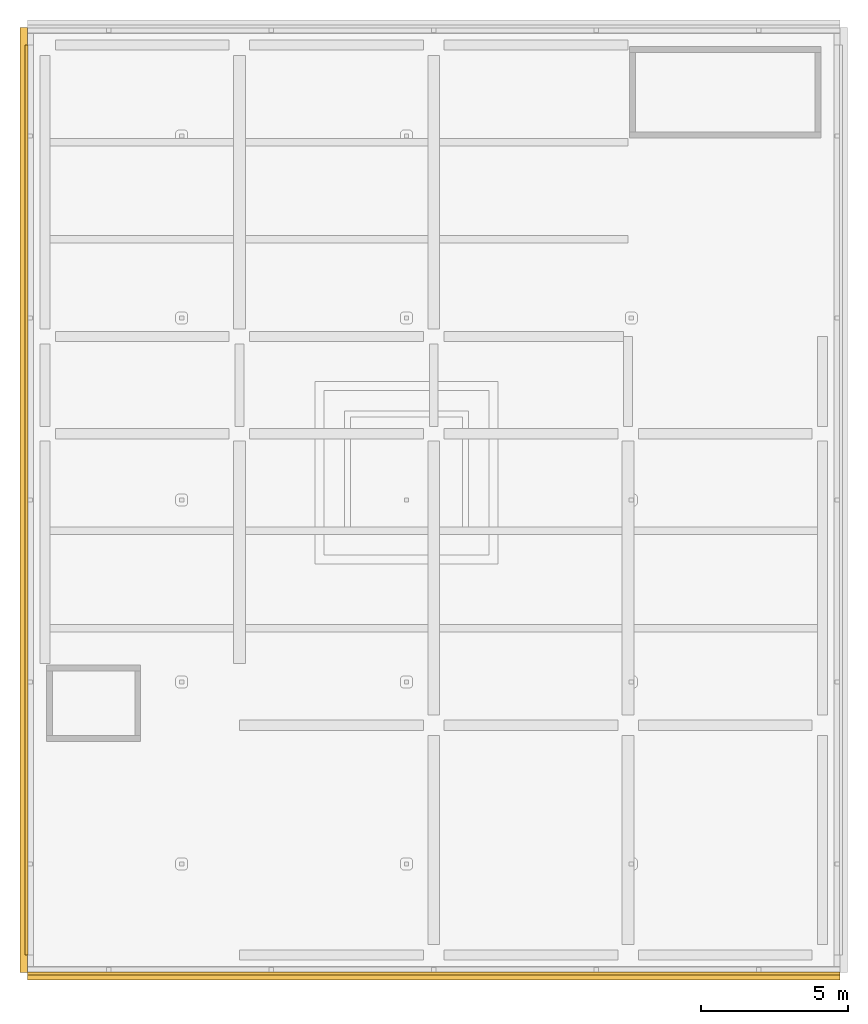
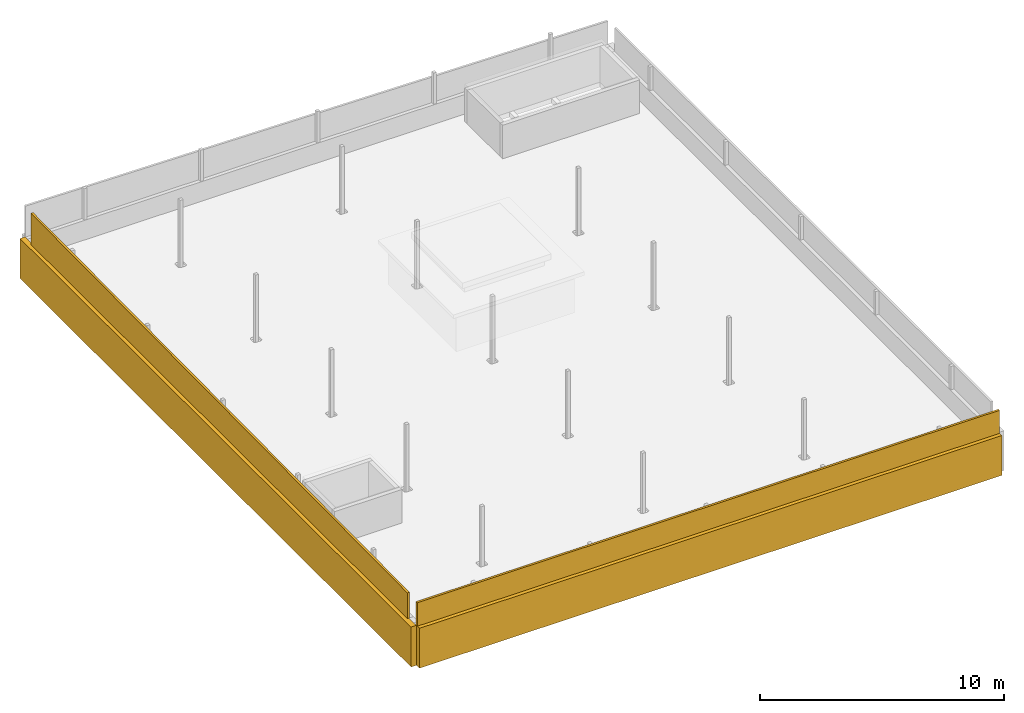
# One storey, part 3 of 4: 4 coverings.
"""IFC4 building model written with IfcOpenShell, lengths in metres."""

from ifc_helpers import new_model, si_unit, direction, frame, frame_2d, origin, place, context, subcontext, project, spatial, polyline, rectangle, outline, extrude, material, layer, layer_set, type_object, element, save


model = new_model("IFC4")

# Units and contexts
model_context = context("Model", 3, precision=1e-05, world=origin(), true_north=direction((0.0, 1.0)))
body_context = subcontext(model_context, "Body", "Model", "MODEL_VIEW")
ifc_project = project(units=[si_unit("LENGTHUNIT", "METRE"), si_unit("AREAUNIT", "SQUARE_METRE"), si_unit("VOLUMEUNIT", "CUBIC_METRE"), si_unit("PLANEANGLEUNIT", "RADIAN"), si_unit("MASSUNIT", "GRAM", prefix="KILO")], contexts=[model_context])

# Site, building, storey
site_placement = place(None, origin())
site = spatial("IfcSite", under=ifc_project, at=site_placement, CompositionType="ELEMENT")
building_placement = place(site_placement, origin())
building = spatial("IfcBuilding", under=site, at=building_placement, Name="Lantern Court Research Institute", CompositionType="ELEMENT")
storey_placement = place(building_placement, frame((0.0, 0.0, 45.89990234375)))
storey = spatial("IfcBuildingStorey", under=building, at=storey_placement, Name="RF", CompositionType="ELEMENT", Elevation=45.89990234375)

# Coverings
ifc_material_1 = material(Name="Aluminium composite panel with mineral wool insulation", Category="aluminium")
ifc_layer_1 = layer(ifc_material_1, 0.25)
ifc_layer_set_1 = layer_set([ifc_layer_1], Name="Aluminium composite panel with mineral wool insulation")
covering_type_1 = type_object("IfcCoveringType", Name="Oversail edge band 250 aluminium composite", PredefinedType="CLADDING", material=ifc_layer_set_1)
covering_1_placement = place(storey_placement, frame((52.199951171875, -8.52490234375, -0.89990234375), z_axis=(0.0, 0.0, 1.0), x_axis=(1.0, 0.0, 0.0)))
element("IfcCovering", 1, at=covering_1_placement, inside=storey, type_object=covering_type_1, Name="Oversail edge band V5S 7", PredefinedType="CLADDING", context=body_context, shape_type="SweptSolid", body=[
    extrude(rectangle(XDim=27.60009765625, YDim=0.25, at=frame_2d((13.800048828125, 0.0))), origin(), (0.0, 0.0, 1.0), 2.0),
])
covering_2_placement = place(storey_placement, frame((52.074951171875, -8.39990234375, -0.89990234375), z_axis=(0.0, 0.0, 1.0), x_axis=(0.0, 1.0, 0.0)))
element("IfcCovering", 2, at=covering_2_placement, inside=storey, type_object=covering_type_1, Name="Oversail edge band V5W 10", PredefinedType="CLADDING", context=body_context, shape_type="SweptSolid", body=[
    extrude(rectangle(XDim=32.099853515625, YDim=0.25, at=frame_2d((16.0498046875, 0.0))), origin(), (0.0, 0.0, 1.0), 2.0),
])
ifc_material_2 = material(Name="Aluminium composite panel with mineral wool insulation", Category="aluminium")
ifc_layer_2 = layer(ifc_material_2, 0.10009765625)
ifc_layer_set_2 = layer_set([ifc_layer_2], Name="Aluminium composite panel with mineral wool insulation")
covering_type_2 = type_object("IfcCoveringType", Name="Parapet cornice strip 100 aluminium composite", PredefinedType="CLADDING", material=ifc_layer_set_2)
covering_3_placement = place(storey_placement, frame((52.199951171875, -8.375, -45.89990234375), z_axis=(0.0, -1.0, 0.0), x_axis=(1.0, 0.0, 0.0)))
element("IfcCovering", 3, at=covering_3_placement, inside=storey, type_object=covering_type_2, Name="Parapet cornice strip V5 8", PredefinedType="CLADDING", context=body_context, shape_type="SweptSolid", body=[
    extrude(outline(polyline([(0.0, 47.0), (27.60009765625, 47.0), (27.60009765625, 48.155029296875), (0.0, 48.17626953125), (0.0, 47.0)])), origin(), (0.0, 0.0, 1.0), 0.10009765625),
])
covering_4_placement = place(storey_placement, frame((52.22509765625, 23.10009765625, -45.89990234375), z_axis=(-1.0, 0.0, 0.0), x_axis=(0.0, -1.0, 0.0)))
element("IfcCovering", 4, at=covering_4_placement, inside=storey, type_object=covering_type_2, Name="Parapet cornice strip V5 11", PredefinedType="CLADDING", context=body_context, shape_type="SweptSolid", body=[
    extrude(outline(polyline([(0.0, 47.0), (30.89990234375, 47.0), (30.89990234375, 48.28271484375), (0.0, 48.569580078125), (0.0, 47.0)])), origin(), (0.0, 0.0, 1.0), 0.10009765625),
])

save(model, "model.ifc")
